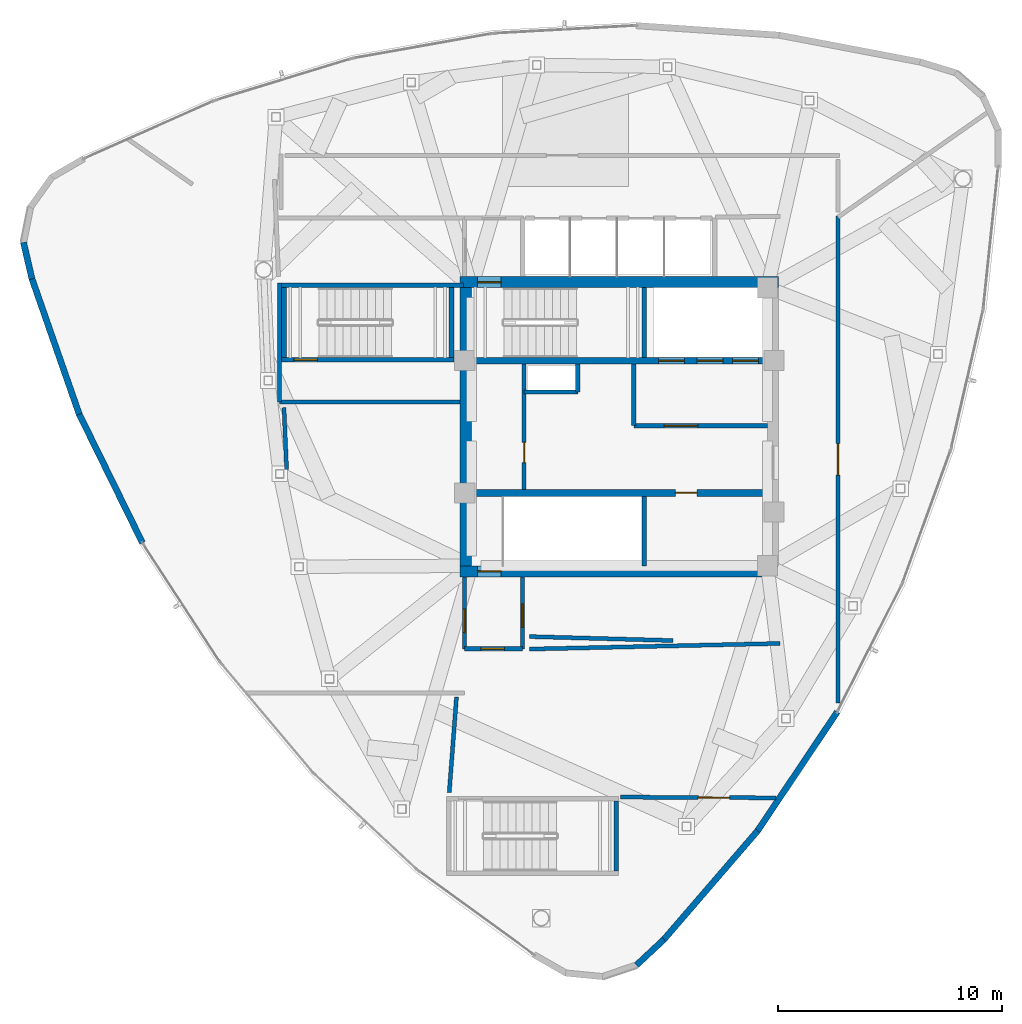
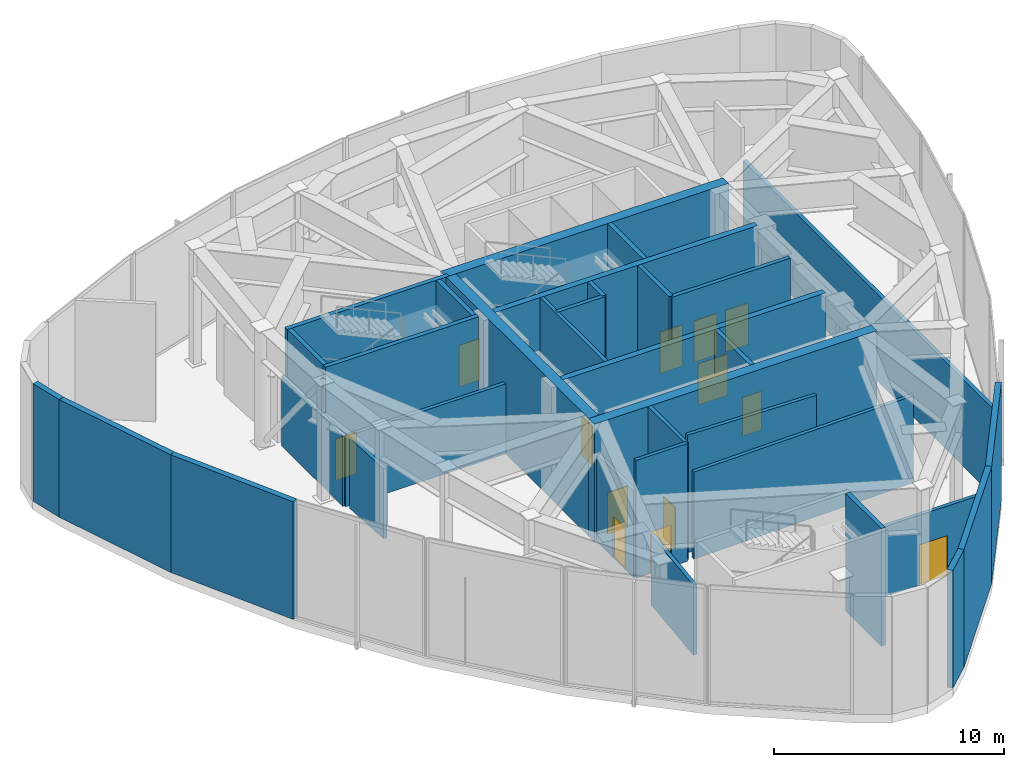
# One storey, part 8 of 13: 34 walls, 14 doors, 14 openings.
"""IFC4 building model written with IfcOpenShell, lengths in metres."""

import ifcopenshell
import ifcopenshell.guid

model = None  # the IFC model being written
_history = None  # IfcOwnerHistory: only IFC2X3 demands one
_inside = {}  # id of a spatial element -> (the spatial element, [elements in it])
_under = {}  # id of a project, library or spatial element -> (it, [spatial elements below it])
_declared = {}  # id of a project -> (the project, [libraries it declares])
_typed = {}  # id of a type object -> (the type object, [elements of that type])
_made_of = {}  # id of a material, layer set ... -> (it, [elements and type objects made of it])


def new_model(schema):
    """Start an empty IFC model of exactly this schema.

    Asked for "IFC4X3", IfcOpenShell would pick the latest addendum, in which some entities
    have other attributes; the version numbers below select the first issue.
    IFC2X3 requires an IfcOwnerHistory on every rooted entity: one is made here for all.
    """
    global model, _history
    if schema == "IFC4X3":
        model = ifcopenshell.file(schema_version=(4, 3, 0, 0))
    else:
        model = ifcopenshell.file(schema=schema)
    _inside.clear()
    _under.clear()
    _declared.clear()
    _typed.clear()
    _made_of.clear()
    _history = None
    if model.schema == "IFC2X3":
        org = make("IfcOrganization", Name="unknown")
        user = make(
            "IfcPersonAndOrganization",
            ThePerson=make("IfcPerson", FamilyName="unknown"),
            TheOrganization=org,
        )
        app = make(
            "IfcApplication",
            ApplicationDeveloper=org,
            Version="unknown",
            ApplicationFullName="unknown",
            ApplicationIdentifier="unknown",
        )
        _history = make(
            "IfcOwnerHistory",
            OwningUser=user,
            OwningApplication=app,
            ChangeAction="ADDED",
            CreationDate=0,
        )
    return model


def make(cls, **values):
    """One entity of the class cls with the attributes given. An attribute that is None is left unset."""
    return model.create_entity(
        cls, **{name: value for name, value in values.items() if value is not None}
    )


def rooted(cls, **values):
    """An entity with a GlobalId (a new one), such as an element, a storey or a relation."""
    return make(cls, GlobalId=ifcopenshell.guid.new(), OwnerHistory=_history, **values)


def si_unit(unit_type, name, prefix=None):
    """IfcSIUnit, for example si_unit("LENGTHUNIT", "METRE", prefix="MILLI")."""
    return make("IfcSIUnit", UnitType=unit_type, Prefix=prefix, Name=name)


def assignment(units):
    """IfcUnitAssignment: the units of a project."""
    return None if units is None else make("IfcUnitAssignment", Units=units)


def point(xyz):
    """IfcCartesianPoint."""
    return None if xyz is None else make("IfcCartesianPoint", Coordinates=xyz)


def direction(xyz):
    """IfcDirection."""
    return None if xyz is None else make("IfcDirection", DirectionRatios=xyz)


def frame(location, z_axis=None, x_axis=None):
    """IfcAxis2Placement3D, a coordinate frame: its origin and axes. An axis left out is left unset."""
    return make(
        "IfcAxis2Placement3D",
        Location=point(location),
        Axis=direction(z_axis),
        RefDirection=direction(x_axis),
    )


def frame_2d(location, x_axis=None):
    """IfcAxis2Placement2D, a coordinate frame in the plane: its origin and x axis."""
    return make(
        "IfcAxis2Placement2D", Location=point(location), RefDirection=direction(x_axis)
    )


def origin():
    """The frame at (0, 0, 0) with its axes left unset."""
    return frame((0.0, 0.0, 0.0))


def place(relative_to, where):
    """IfcLocalPlacement: puts the frame where relative to a parent placement (None: the world)."""
    return make(
        "IfcLocalPlacement", PlacementRelTo=relative_to, RelativePlacement=where
    )


def context(
    kind, dimensions, precision=None, world=None, true_north=None, identifier=None
):
    """IfcGeometricRepresentationContext, for example the 3D "Model" context."""
    return make(
        "IfcGeometricRepresentationContext",
        ContextIdentifier=identifier,
        ContextType=kind,
        CoordinateSpaceDimension=dimensions,
        Precision=precision,
        WorldCoordinateSystem=world,
        TrueNorth=true_north,
    )


def subcontext(parent, identifier, kind, view, scale=None):
    """IfcGeometricRepresentationSubContext, for example "Body" below "Model"."""
    return make(
        "IfcGeometricRepresentationSubContext",
        ContextIdentifier=identifier,
        ContextType=kind,
        ParentContext=parent,
        TargetScale=scale,
        TargetView=view,
    )


def project(units=None, contexts=None):
    """IfcProject with its units and contexts."""
    return rooted(
        "IfcProject",
        Name="project",
        RepresentationContexts=contexts,
        UnitsInContext=assignment(units),
    )


def spatial(cls, under=None, at=None, **own):
    """A site, building, storey or space (cls), placed at a placement, below another one or the project."""
    s = rooted(cls, ObjectPlacement=at, **own)
    if under is not None:
        _under.setdefault(under.id(), (under, []))[1].append(s)
    return s


def profile(cls, at=None, kind="AREA", **sizes):
    """A parametric profile (cls). Its sizes go by their IFC names, for example OverallWidth=200.0."""
    return make(cls, ProfileType=kind, Position=at, **sizes)


def rectangle(**sizes):
    """IfcRectangleProfileDef."""
    return profile("IfcRectangleProfileDef", **sizes)


def extrude(swept, where, along, depth):
    """IfcExtrudedAreaSolid: the profile swept, set in the frame where, extruded along a direction by depth."""
    return make(
        "IfcExtrudedAreaSolid",
        SweptArea=swept,
        Position=where,
        ExtrudedDirection=direction(along),
        Depth=depth,
    )


def shape(context_of_items, identifier, shape_type, items):
    """IfcShapeRepresentation: the items that make up one representation, for example the "Body"."""
    return make(
        "IfcShapeRepresentation",
        ContextOfItems=context_of_items,
        RepresentationIdentifier=identifier,
        RepresentationType=shape_type,
        Items=items,
    )


def material(Name=None, Category=None):
    """IfcMaterial."""
    return make("IfcMaterial", Name=Name, Category=Category)


def layer(
    of_material, thickness, ventilated=None, Name=None, Category=None, Priority=None
):
    """IfcMaterialLayer: one layer of a wall or slab, of a material (None: an air gap)."""
    return make(
        "IfcMaterialLayer",
        Material=of_material,
        LayerThickness=thickness,
        IsVentilated=ventilated,
        Name=Name,
        Category=Category,
        Priority=Priority,
    )


def layer_set(layers, Name=None):
    """IfcMaterialLayerSet."""
    return make("IfcMaterialLayerSet", MaterialLayers=layers, LayerSetName=Name)


def made_of(thing, what):
    """Note that an element or type object is made of a material, layer set ...; save() writes the relation."""
    if what is not None:
        _made_of.setdefault(what.id(), (what, []))[1].append(thing)
    return thing


def type_object(cls, material=None, **own):
    """A type object (cls), such as IfcWallType, which elements share."""
    return made_of(rooted(cls, **own), material)


def element(
    cls,
    number,
    at=None,
    inside=None,
    cuts=None,
    type_object=None,
    material=None,
    context=None,
    identifier="Body",
    shape_type=None,
    held_by="IfcProductDefinitionShape",
    body=None,
    shapes=None,
    **own,
):
    """One element of the class cls, such as IfcWall. Its Tag is "e" and its number.

    at: its placement. inside: the storey or other place that contains it. cuts: it is an
    opening in that element (IfcRelVoidsElement). A single representation is given by context,
    identifier, shape_type and body (its items); several are given by shapes. held_by: the class
    of the entity that holds the representations. save() writes the other relations.
    """
    e = rooted(cls, Tag="e%d" % number, ObjectPlacement=at, **own)
    if body is not None:
        shapes = [shape(context, identifier, shape_type, body)]
    if shapes is not None:
        e.Representation = make(held_by, Representations=shapes)
    if inside is not None:
        _inside.setdefault(inside.id(), (inside, []))[1].append(e)
    if cuts is not None:
        rooted(
            "IfcRelVoidsElement", RelatingBuildingElement=cuts, RelatedOpeningElement=e
        )
    if type_object is not None:
        _typed.setdefault(type_object.id(), (type_object, []))[1].append(e)
    return made_of(e, material)


def fill(opening, filler):
    """IfcRelFillsElement: the door or window that sits in an opening."""
    return rooted(
        "IfcRelFillsElement",
        RelatingOpeningElement=opening,
        RelatedBuildingElement=filler,
    )


def aggregate(whole, parts):
    """IfcRelAggregates: a whole, such as a stair, and the parts it consists of."""
    return rooted("IfcRelAggregates", RelatingObject=whole, RelatedObjects=parts)


def save(model, path):
    """Write the relations noted so far, then the file.

    IfcRelAggregates (storeys below a building ...), IfcRelContainedInSpatialStructure (elements
    in a storey), IfcRelDefinesByType, IfcRelAssociatesMaterial and IfcRelDeclares: one each for
    every whole, place, type object, material and project.
    """
    for whole, parts in _under.values():
        aggregate(whole, parts)
    for where, things in _inside.values():
        rooted(
            "IfcRelContainedInSpatialStructure",
            RelatedElements=things,
            RelatingStructure=where,
        )
    for kind, things in _typed.values():
        rooted("IfcRelDefinesByType", RelatedObjects=things, RelatingType=kind)
    for what, things in _made_of.values():
        rooted("IfcRelAssociatesMaterial", RelatedObjects=things, RelatingMaterial=what)
    for by, libraries in _declared.values():
        rooted("IfcRelDeclares", RelatingContext=by, RelatedDefinitions=libraries)
    model.write(path)


model = new_model("IFC4")

# Units and contexts
model_context = context("Model", 3, precision=1e-05, world=origin(), true_north=direction((0.0, 1.0)))
body_context = subcontext(model_context, "Body", "Model", "MODEL_VIEW")
ifc_project = project(units=[si_unit("LENGTHUNIT", "METRE"), si_unit("AREAUNIT", "SQUARE_METRE"), si_unit("VOLUMEUNIT", "CUBIC_METRE"), si_unit("PLANEANGLEUNIT", "RADIAN"), si_unit("MASSUNIT", "GRAM", prefix="KILO")], contexts=[model_context])

# Site, building, storey
site_placement = place(None, origin())
site = spatial("IfcSite", under=ifc_project, at=site_placement, CompositionType="ELEMENT")
building_placement = place(site_placement, origin())
building = spatial("IfcBuilding", under=site, at=building_placement, Name="Tavelor Broadcast Tower", CompositionType="ELEMENT")
storey_placement = place(building_placement, frame((0.0, 0.0, 325.5)))
storey = spatial("IfcBuildingStorey", under=building, at=storey_placement, Name="L78", CompositionType="ELEMENT", Elevation=325.5)

# Wall, opening, door
ifc_material_1 = material(Name="Concrete C50/60", Category="concrete")
ifc_layer_1 = layer(ifc_material_1, 0.5)
ifc_layer_set_1 = layer_set([ifc_layer_1], Name="Concrete C50/60")
wall_type_1 = type_object("IfcWallType", Name="Core Shear Wall 500 mm", PredefinedType="SHEAR", material=ifc_layer_set_1)
wall_1_placement = place(storey_placement, frame((42.89990234375, 51.449951171875, 0.0), z_axis=(0.0, 0.0, 1.0), x_axis=(1.0, 0.0, 0.0)))
wall_1 = element("IfcWall", 1, at=wall_1_placement, inside=storey, type_object=wall_type_1, Name="L78 Central Core Shear Wall N", PredefinedType="SHEAR", context=body_context, shape_type="SweptSolid", body=[
    extrude(rectangle(XDim=14.2001953125, YDim=0.5, at=frame_2d((7.10009765625, 0.0))), origin(), (0.0, 0.0, 1.0), 6.25),
])
opening_1_placement = place(wall_1_placement, frame((0.780029296875, 0.0, 0.0)))
opening_1 = element("IfcOpeningElement", 2, at=opening_1_placement, cuts=wall_1, Name="Opening DR11", PredefinedType="OPENING", context=body_context, shape_type="SweptSolid", body=[
    extrude(rectangle(XDim=1.050048828125, YDim=2.199951171875, at=frame_2d((0.52490234375, 1.10009765625))), frame((0.0, 0.260009765625, 0.0), z_axis=(0.0, -1.0, 0.0), x_axis=(1.0, 0.0, 0.0)), (0.0, 0.0, 1.0), 0.52001953125),
])
ifc_material_2 = material(Name="Steel S355", Category="steel")
door_type_1 = type_object("IfcDoorType", Name="Stair Core Fire Escape Door 1050x2200", OperationType="NOTDEFINED", PredefinedType="DOOR", material=ifc_material_2)
door_1_placement = place(opening_1_placement, origin())
door_1 = element("IfcDoor", 3, at=door_1_placement, inside=storey, type_object=door_type_1, Name="L78 Stair ST1 Protected Exit Door", OperationType="SINGLE_SWING_LEFT", OverallHeight=2.199951171875, OverallWidth=1.050048828125, PredefinedType="DOOR", context=body_context, shape_type="SweptSolid", body=[
    extrude(rectangle(XDim=1.050048828125, YDim=2.199951171875, at=frame_2d((0.52490234375, 1.10009765625))), frame((0.0, 0.02490234375, 0.0), z_axis=(0.0, -1.0, 0.0), x_axis=(1.0, 0.0, 0.0)), (0.0, 0.0, 1.0), 0.050048828125),
])
fill(opening_1, door_1)

wall_2_placement = place(storey_placement, frame((42.89990234375, 38.550048828125, 0.0), z_axis=(0.0, 0.0, 1.0), x_axis=(1.0, 0.0, 0.0)))
wall_2 = element("IfcWall", 4, at=wall_2_placement, inside=storey, type_object=wall_type_1, Name="L78 Central Core Shear Wall S", PredefinedType="SHEAR", context=body_context, shape_type="SweptSolid", body=[
    extrude(rectangle(XDim=14.2001953125, YDim=0.5, at=frame_2d((7.10009765625, 0.0))), origin(), (0.0, 0.0, 1.0), 6.25),
])
opening_2_placement = place(wall_2_placement, frame((0.780029296875, 0.0, 0.0)))
opening_2 = element("IfcOpeningElement", 5, at=opening_2_placement, cuts=wall_2, Name="Opening DR11", PredefinedType="OPENING", context=body_context, shape_type="SweptSolid", body=[
    extrude(rectangle(XDim=1.050048828125, YDim=2.199951171875, at=frame_2d((0.52490234375, 1.10009765625))), frame((0.0, 0.260009765625, 0.0), z_axis=(0.0, -1.0, 0.0), x_axis=(1.0, 0.0, 0.0)), (0.0, 0.0, 1.0), 0.52001953125),
])
door_2_placement = place(opening_2_placement, origin())
door_2 = element("IfcDoor", 6, at=door_2_placement, inside=storey, type_object=door_type_1, Name="L78 Stair ST2 Protected Exit Door", OperationType="SINGLE_SWING_RIGHT", OverallHeight=2.199951171875, OverallWidth=1.050048828125, PredefinedType="DOOR", context=body_context, shape_type="SweptSolid", body=[
    extrude(rectangle(XDim=1.050048828125, YDim=2.199951171875, at=frame_2d((0.52490234375, 1.10009765625))), frame((0.0, 0.02490234375, 0.0), z_axis=(0.0, -1.0, 0.0), x_axis=(1.0, 0.0, 0.0)), (0.0, 0.0, 1.0), 0.050048828125),
])
fill(opening_2, door_2)

# Wall
wall_3_placement = place(storey_placement, frame((43.14990234375, 38.800048828125, 0.0), z_axis=(0.0, 0.0, 1.0), x_axis=(0.0, 1.0, 0.0)))
element("IfcWall", 7, at=wall_3_placement, inside=storey, type_object=wall_type_1, Name="L78 Central Core Shear Wall W", PredefinedType="SHEAR", context=body_context, shape_type="SweptSolid", body=[
    extrude(rectangle(XDim=12.39990234375, YDim=0.5, at=frame_2d((6.199951171875, 0.0))), origin(), (0.0, 0.0, 1.0), 6.25),
])

# Wall, openings, doors
ifc_layer_2 = layer(ifc_material_1, 0.300048828125)
ifc_layer_set_2 = layer_set([ifc_layer_2], Name="Concrete C50/60")
wall_type_2 = type_object("IfcWallType", Name="Core Spine Shear Wall 300 mm C50", PredefinedType="SHEAR", material=ifc_layer_set_2)
wall_4_placement = place(storey_placement, frame((43.39990234375, 47.949951171875, 0.0), z_axis=(0.0, 0.0, 1.0), x_axis=(1.0, 0.0, 0.0)))
wall_4 = element("IfcWall", 8, at=wall_4_placement, inside=storey, type_object=wall_type_2, Name="L78 Central Core Shear Wall SP1", PredefinedType="SHEAR", context=body_context, shape_type="SweptSolid", body=[
    extrude(rectangle(XDim=13.2001953125, YDim=0.300048828125, at=frame_2d((6.60009765625, 0.0))), origin(), (0.0, 0.0, 1.0), 6.25),
])
opening_3_placement = place(wall_4_placement, frame((8.344970703125, 0.0, 0.0)))
opening_3 = element("IfcOpeningElement", 9, at=opening_3_placement, cuts=wall_4, Name="Opening LD02", PredefinedType="OPENING", context=body_context, shape_type="SweptSolid", body=[
    extrude(rectangle(XDim=1.14990234375, YDim=2.199951171875, at=frame_2d((0.574951171875, 1.10009765625))), frame((0.0, 0.16015625, 0.0), z_axis=(0.0, -1.0, 0.0), x_axis=(1.0, 0.0, 0.0)), (0.0, 0.0, 1.0), 0.320068359375),
])
opening_4_placement = place(wall_4_placement, frame((10.06494140625, 0.0, 0.0)))
opening_4 = element("IfcOpeningElement", 10, at=opening_4_placement, cuts=wall_4, Name="Opening LD02", PredefinedType="OPENING", context=body_context, shape_type="SweptSolid", body=[
    extrude(rectangle(XDim=1.14990234375, YDim=2.199951171875, at=frame_2d((0.574951171875, 1.10009765625))), frame((0.0, 0.16015625, 0.0), z_axis=(0.0, -1.0, 0.0), x_axis=(1.0, 0.0, 0.0)), (0.0, 0.0, 1.0), 0.320068359375),
])
opening_5_placement = place(wall_4_placement, frame((11.64501953125, 0.0, 0.0)))
opening_5 = element("IfcOpeningElement", 11, at=opening_5_placement, cuts=wall_4, Name="Opening LD03", PredefinedType="OPENING", context=body_context, shape_type="SweptSolid", body=[
    extrude(rectangle(XDim=1.14990234375, YDim=2.199951171875, at=frame_2d((0.574951171875, 1.10009765625))), frame((0.0, 0.16015625, 0.0), z_axis=(0.0, -1.0, 0.0), x_axis=(1.0, 0.0, 0.0)), (0.0, 0.0, 1.0), 0.320068359375),
])
ifc_material_3 = material(Name="Reinforced Brushed Stainless Steel", Category="concrete")
door_type_2 = type_object("IfcDoorType", Name="Broadcast Goods Lift Sliding Landing Door 1250x2200", OperationType="NOTDEFINED", PredefinedType="DOOR", material=ifc_material_3)
door_3_placement = place(opening_5_placement, origin())
door_3 = element("IfcDoor", 12, at=door_3_placement, inside=storey, type_object=door_type_2, Name="L78 Lift SVL1 Sliding Landing Door", OperationType="SLIDING_TO_LEFT", OverallHeight=2.199951171875, OverallWidth=1.14990234375, PredefinedType="DOOR", context=body_context, shape_type="SweptSolid", body=[
    extrude(rectangle(XDim=1.14990234375, YDim=2.199951171875, at=frame_2d((0.574951171875, 1.10009765625))), frame((0.0, 0.02490234375, 0.0), z_axis=(0.0, -1.0, 0.0), x_axis=(1.0, 0.0, 0.0)), (0.0, 0.0, 1.0), 0.050048828125),
])
fill(opening_5, door_3)
ifc_material_4 = material(Name="Fire-Rated Stainless Steel", Category="steel")
door_type_3 = type_object("IfcDoorType", Name="Firefighting Lift Sliding Landing Door 1200x2200", OperationType="NOTDEFINED", PredefinedType="DOOR", material=ifc_material_4)
door_4_placement = place(opening_3_placement, origin())
door_4 = element("IfcDoor", 13, at=door_4_placement, inside=storey, type_object=door_type_3, Name="L78 Lift FFL1 Sliding Landing Door", OperationType="SLIDING_TO_LEFT", OverallHeight=2.199951171875, OverallWidth=1.14990234375, PredefinedType="DOOR", context=body_context, shape_type="SweptSolid", body=[
    extrude(rectangle(XDim=1.14990234375, YDim=2.199951171875, at=frame_2d((0.574951171875, 1.10009765625))), frame((0.0, 0.02490234375, 0.0), z_axis=(0.0, -1.0, 0.0), x_axis=(1.0, 0.0, 0.0)), (0.0, 0.0, 1.0), 0.050048828125),
])
fill(opening_3, door_4)
door_5_placement = place(opening_4_placement, origin())
door_5 = element("IfcDoor", 14, at=door_5_placement, inside=storey, type_object=door_type_3, Name="L78 Lift FFL2 Sliding Landing Door", OperationType="SLIDING_TO_LEFT", OverallHeight=2.199951171875, OverallWidth=1.14990234375, PredefinedType="DOOR", context=body_context, shape_type="SweptSolid", body=[
    extrude(rectangle(XDim=1.14990234375, YDim=2.199951171875, at=frame_2d((0.574951171875, 1.10009765625))), frame((0.0, 0.02490234375, 0.0), z_axis=(0.0, -1.0, 0.0), x_axis=(1.0, 0.0, 0.0)), (0.0, 0.0, 1.0), 0.050048828125),
])
fill(opening_4, door_5)

# Wall, opening, door
wall_5_placement = place(storey_placement, frame((43.39990234375, 42.050048828125, 0.0), z_axis=(0.0, 0.0, 1.0), x_axis=(1.0, 0.0, 0.0)))
wall_5 = element("IfcWall", 15, at=wall_5_placement, inside=storey, type_object=wall_type_2, Name="L78 Central Core Shear Wall SP2", PredefinedType="SHEAR", context=body_context, shape_type="SweptSolid", body=[
    extrude(rectangle(XDim=13.2001953125, YDim=0.300048828125, at=frame_2d((6.60009765625, 0.0))), origin(), (0.0, 0.0, 1.0), 6.25),
])
opening_6_placement = place(wall_5_placement, frame((9.10009765625, 0.0, 0.0)))
opening_6 = element("IfcOpeningElement", 16, at=opening_6_placement, cuts=wall_5, Name="Opening DR18", PredefinedType="OPENING", context=body_context, shape_type="SweptSolid", body=[
    extrude(rectangle(XDim=0.949951171875, YDim=2.050048828125, at=frame_2d((0.47509765625, 1.02490234375))), frame((0.0, 0.16015625, 0.0), z_axis=(0.0, -1.0, 0.0), x_axis=(1.0, 0.0, 0.0)), (0.0, 0.0, 1.0), 0.320068359375),
])
ifc_material_5 = material(Name="Timber Solid Core Hardwood", Category="wood")
door_type_4 = type_object("IfcDoorType", Name="Corridor Rated Compartment Door 950x2050", OperationType="NOTDEFINED", PredefinedType="DOOR", material=ifc_material_5)
door_6_placement = place(opening_6_placement, origin())
door_6 = element("IfcDoor", 17, at=door_6_placement, inside=storey, type_object=door_type_4, Name="L78 Reclaimed South Core Plant Door", OperationType="SINGLE_SWING_LEFT", OverallHeight=2.050048828125, OverallWidth=0.949951171875, PredefinedType="DOOR", context=body_context, shape_type="SweptSolid", body=[
    extrude(rectangle(XDim=0.949951171875, YDim=2.050048828125, at=frame_2d((0.47509765625, 1.02490234375))), frame((0.0, 0.02490234375, 0.0), z_axis=(0.0, -1.0, 0.0), x_axis=(1.0, 0.0, 0.0)), (0.0, 0.0, 1.0), 0.050048828125),
])
fill(opening_6, door_6)

ifc_material_6 = material(Name="Calcium Silicate Fire Board 180 mm", Category="gypsum")
ifc_layer_3 = layer(ifc_material_6, 0.179931640625)
ifc_layer_set_3 = layer_set([ifc_layer_3], Name="Calcium Silicate Fire Board 180 mm")
wall_type_3 = type_object("IfcWallType", Name="Fire-Rated Corridor Partition Wall 180 mm", PredefinedType="PARTITIONING", material=ifc_layer_set_3)
wall_6_placement = place(storey_placement, frame((45.75, 42.199951171875, 0.0), z_axis=(0.0, 0.0, 1.0), x_axis=(0.0, 1.0, 0.0)))
wall_6 = element("IfcWall", 18, at=wall_6_placement, inside=storey, type_object=wall_type_3, Name="L78 Core West Service East Wall", PredefinedType="PARTITIONING", context=body_context, shape_type="SweptSolid", body=[
    extrude(rectangle(XDim=5.60009765625, YDim=0.179931640625, at=frame_2d((2.800048828125, 0.0))), origin(), (0.0, 0.0, 1.0), 6.25),
])
opening_7_placement = place(wall_6_placement, frame((1.199951171875, 0.0, 0.0)))
opening_7 = element("IfcOpeningElement", 19, at=opening_7_placement, cuts=wall_6, Name="Opening DR32", PredefinedType="OPENING", context=body_context, shape_type="SweptSolid", body=[
    extrude(rectangle(XDim=0.89990234375, YDim=2.050048828125, at=frame_2d((0.449951171875, 1.02490234375))), frame((0.0, 0.10009765625, 0.0), z_axis=(0.0, -1.0, 0.0), x_axis=(1.0, 0.0, 0.0)), (0.0, 0.0, 1.0), 0.199951171875),
])
door_type_5 = type_object("IfcDoorType", Name="Accessible Washroom Door 900x2050", OperationType="NOTDEFINED", PredefinedType="DOOR", material=ifc_material_5)
door_7_placement = place(opening_7_placement, origin())
door_7 = element("IfcDoor", 20, at=door_7_placement, inside=storey, type_object=door_type_5, Name="L78 Core Plant Room Door", OperationType="SINGLE_SWING_LEFT", OverallHeight=2.050048828125, OverallWidth=0.89990234375, PredefinedType="DOOR", context=body_context, shape_type="SweptSolid", body=[
    extrude(rectangle(XDim=0.89990234375, YDim=2.050048828125, at=frame_2d((0.449951171875, 1.02490234375))), frame((0.0, 0.02490234375, 0.0), z_axis=(0.0, -1.0, 0.0), x_axis=(1.0, 0.0, 0.0)), (0.0, 0.0, 1.0), 0.050048828125),
])
fill(opening_7, door_7)

# Wall
wall_7_placement = place(storey_placement, frame((35.04296875, 45.85009765625, 0.0), z_axis=(0.0, 0.0, 1.0), x_axis=(0.041829175035, -0.99912477705, 0.0)))
element("IfcWall", 21, at=wall_7_placement, inside=storey, type_object=wall_type_3, Name="L78 Corner Brace Furring Wall 1", PredefinedType="PARTITIONING", context=body_context, shape_type="SweptSolid", body=[
    extrude(rectangle(XDim=2.7607421875, YDim=0.179931640625, at=frame_2d((1.38037109375, 0.0))), origin(), (0.0, 0.0, 1.0), 3.72509765625),
])

# Wall, opening, door
wall_8_placement = place(storey_placement, frame((45.679931640625, 35.10009765625, 0.0), z_axis=(0.0, 0.0, 1.0), x_axis=(0.0, 1.0, 0.0)))
wall_8 = element("IfcWall", 22, at=wall_8_placement, inside=storey, type_object=wall_type_3, Name="L78 Stair ST2 Lobby East Wall", PredefinedType="PARTITIONING", context=body_context, shape_type="SweptSolid", body=[
    extrude(rectangle(XDim=3.199951171875, YDim=0.179931640625, at=frame_2d((1.60009765625, 0.0))), origin(), (0.0, 0.0, 1.0), 6.25),
])
opening_8_placement = place(wall_8_placement, frame((0.949951171875, 0.0, 0.0)))
opening_8 = element("IfcOpeningElement", 23, at=opening_8_placement, cuts=wall_8, Name="Opening DR11", PredefinedType="OPENING", context=body_context, shape_type="SweptSolid", body=[
    extrude(rectangle(XDim=1.050048828125, YDim=2.199951171875, at=frame_2d((0.52490234375, 1.10009765625))), frame((0.0, 0.10009765625, 0.0), z_axis=(0.0, -1.0, 0.0), x_axis=(1.0, 0.0, 0.0)), (0.0, 0.0, 1.0), 0.199951171875),
])
door_8_placement = place(opening_8_placement, origin())
door_8 = element("IfcDoor", 24, at=door_8_placement, inside=storey, type_object=door_type_1, Name="L78 Stair ST2 Lobby East Corridor Door", OperationType="SINGLE_SWING_LEFT", OverallHeight=2.199951171875, OverallWidth=1.050048828125, PredefinedType="DOOR", context=body_context, shape_type="SweptSolid", body=[
    extrude(rectangle(XDim=1.050048828125, YDim=2.199951171875, at=frame_2d((0.52490234375, 1.10009765625))), frame((0.0, 0.02490234375, 0.0), z_axis=(0.0, -1.0, 0.0), x_axis=(1.0, 0.0, 0.0)), (0.0, 0.0, 1.0), 0.050048828125),
])
fill(opening_8, door_8)

wall_9_placement = place(storey_placement, frame((43.10009765625, 35.10009765625, 0.0), z_axis=(0.0, 0.0, 1.0), x_axis=(1.0, 0.0, 0.0)))
wall_9 = element("IfcWall", 25, at=wall_9_placement, inside=storey, type_object=wall_type_3, Name="L78 Stair ST2 Lobby South Wall", PredefinedType="PARTITIONING", context=body_context, shape_type="SweptSolid", body=[
    extrude(rectangle(XDim=2.579833984375, YDim=0.179931640625, at=frame_2d((1.2900390625, 0.0))), origin(), (0.0, 0.0, 1.0), 6.25),
])
opening_9_placement = place(wall_9_placement, frame((0.719970703125, 0.0, 0.0)))
opening_9 = element("IfcOpeningElement", 26, at=opening_9_placement, cuts=wall_9, Name="Opening DR11", PredefinedType="OPENING", context=body_context, shape_type="SweptSolid", body=[
    extrude(rectangle(XDim=1.050048828125, YDim=2.199951171875, at=frame_2d((0.52490234375, 1.10009765625))), frame((0.0, 0.10009765625, 0.0), z_axis=(0.0, -1.0, 0.0), x_axis=(1.0, 0.0, 0.0)), (0.0, 0.0, 1.0), 0.199951171875),
])
door_9_placement = place(opening_9_placement, origin())
door_9 = element("IfcDoor", 27, at=door_9_placement, inside=storey, type_object=door_type_1, Name="L78 Stair ST2 Lobby Corridor Door", OperationType="SINGLE_SWING_RIGHT", OverallHeight=2.199951171875, OverallWidth=1.050048828125, PredefinedType="DOOR", context=body_context, shape_type="SweptSolid", body=[
    extrude(rectangle(XDim=1.050048828125, YDim=2.199951171875, at=frame_2d((0.52490234375, 1.10009765625))), frame((0.0, 0.02490234375, 0.0), z_axis=(0.0, -1.0, 0.0), x_axis=(1.0, 0.0, 0.0)), (0.0, 0.0, 1.0), 0.050048828125),
])
fill(opening_9, door_9)

wall_10_placement = place(storey_placement, frame((43.10009765625, 35.10009765625, 0.0), z_axis=(0.0, 0.0, 1.0), x_axis=(0.0, 1.0, 0.0)))
wall_10 = element("IfcWall", 28, at=wall_10_placement, inside=storey, type_object=wall_type_3, Name="L78 Fire Refuge South Stair ST2 Lobby Wall", PredefinedType="PARTITIONING", context=body_context, shape_type="SweptSolid", body=[
    extrude(rectangle(XDim=3.199951171875, YDim=0.179931640625, at=frame_2d((1.60009765625, 0.0))), origin(), (0.0, 0.0, 1.0), 4.625),
])
opening_10_placement = place(wall_10_placement, frame((0.719970703125, 0.0, 0.0)))
opening_10 = element("IfcOpeningElement", 29, at=opening_10_placement, cuts=wall_10, Name="Opening DR11", PredefinedType="OPENING", context=body_context, shape_type="SweptSolid", body=[
    extrude(rectangle(XDim=1.050048828125, YDim=2.199951171875, at=frame_2d((0.52490234375, 1.10009765625))), frame((0.0, 0.10009765625, 0.0), z_axis=(0.0, -1.0, 0.0), x_axis=(1.0, 0.0, 0.0)), (0.0, 0.0, 1.0), 0.199951171875),
])
door_10_placement = place(opening_10_placement, origin())
door_10 = element("IfcDoor", 30, at=door_10_placement, inside=storey, type_object=door_type_1, Name="L78 Fire Refuge Stair ST2 Lobby Door", OperationType="SINGLE_SWING_LEFT", OverallHeight=2.199951171875, OverallWidth=1.050048828125, PredefinedType="DOOR", context=body_context, shape_type="SweptSolid", body=[
    extrude(rectangle(XDim=1.050048828125, YDim=2.199951171875, at=frame_2d((0.52490234375, 1.10009765625))), frame((0.0, 0.02490234375, 0.0), z_axis=(0.0, -1.0, 0.0), x_axis=(1.0, 0.0, 0.0)), (0.0, 0.0, 1.0), 0.050048828125),
])
fill(opening_10, door_10)

# Walls
wall_11_placement = place(storey_placement, frame((34.85009765625, 46.10009765625, 0.0), z_axis=(0.0, 0.0, 1.0), x_axis=(1.0, 0.0, 0.0)))
element("IfcWall", 31, at=wall_11_placement, inside=storey, type_object=wall_type_3, Name="L78 Fire Refuge ST5 Corridor Separation Wall", PredefinedType="PARTITIONING", context=body_context, shape_type="SweptSolid", body=[
    extrude(rectangle(XDim=8.0498046875, YDim=0.179931640625, at=frame_2d((4.02490234375, 0.0))), origin(), (0.0, 0.0, 1.0), 3.72509765625),
])
wall_12_placement = place(storey_placement, frame((34.85009765625, 46.10009765625, 0.0), z_axis=(0.0, 0.0, 1.0), x_axis=(0.0, 1.0, 0.0)))
element("IfcWall", 32, at=wall_12_placement, inside=storey, type_object=wall_type_3, Name="L78 Fire Refuge ST5 West Enclosure Wall", PredefinedType="PARTITIONING", context=body_context, shape_type="SweptSolid", body=[
    extrude(rectangle(XDim=5.31982421875, YDim=0.179931640625, at=frame_2d((2.659912109375, 0.0))), origin(), (0.0, 0.0, 1.0), 3.72509765625),
])

# Wall, opening, door
wall_13_placement = place(storey_placement, frame((56.993408203125, 28.45068359375, 0.0), z_axis=(0.0, 0.0, 1.0), x_axis=(-0.999988766379, 0.004739948859, 0.0)))
wall_13 = element("IfcWall", 33, at=wall_13_placement, inside=storey, type_object=wall_type_3, Name="L78 Plant Corridor Fire Wall", PredefinedType="PARTITIONING", context=body_context, shape_type="SweptSolid", body=[
    extrude(rectangle(XDim=6.953369140625, YDim=0.179931640625, at=frame_2d((3.4765625, 0.0))), origin(), (0.0, 0.0, 1.0), 3.72509765625),
])
opening_11_placement = place(wall_13_placement, frame((2.07666015625, 0.0, 0.0)))
opening_11 = element("IfcOpeningElement", 34, at=opening_11_placement, cuts=wall_13, Name="Opening DR41", PredefinedType="OPENING", context=body_context, shape_type="SweptSolid", body=[
    extrude(rectangle(XDim=1.39990234375, YDim=2.14990234375, at=frame_2d((0.699951171875, 1.074951171875))), frame((0.0, 0.10009765625, 0.0), z_axis=(0.0, -1.0, 0.0), x_axis=(1.0, 0.0, 0.0)), (0.0, 0.0, 1.0), 0.199951171875),
])
door_type_6 = type_object("IfcDoorType", Name="Plant Room Double Fire Door 1400x2150", OperationType="NOTDEFINED", PredefinedType="DOOR", material=ifc_material_2)
door_11_placement = place(opening_11_placement, origin())
door_11 = element("IfcDoor", 35, at=door_11_placement, inside=storey, type_object=door_type_6, Name="L78 Broadcast RF Transmitter Chiller Plant Direct Corridor Door", OperationType="SINGLE_SWING_RIGHT", OverallHeight=2.14990234375, OverallWidth=1.39990234375, PredefinedType="DOOR", context=body_context, shape_type="SweptSolid", body=[
    extrude(rectangle(XDim=1.39990234375, YDim=2.14990234375, at=frame_2d((0.699951171875, 1.074951171875))), frame((0.0, 0.02490234375, 0.0), z_axis=(0.0, -1.0, 0.0), x_axis=(1.0, 0.0, 0.0)), (0.0, 0.0, 1.0), 0.050048828125),
])
fill(opening_11, door_11)

# Walls
wall_14_placement = place(storey_placement, frame((42.412841796875, 28.690185546875, 0.0), z_axis=(0.0, 0.0, 1.0), x_axis=(0.075783049324, 0.997124329979, 0.0)))
element("IfcWall", 36, at=wall_14_placement, inside=storey, type_object=wall_type_3, Name="L78 Plant Corridor Fire Wall", PredefinedType="PARTITIONING", context=body_context, shape_type="SweptSolid", body=[
    extrude(rectangle(XDim=4.271728515625, YDim=0.179931640625, at=frame_2d((2.1357421875, 0.0))), origin(), (0.0, 0.0, 1.0), 3.72509765625),
])
wall_15_placement = place(storey_placement, frame((45.989990234375, 35.085205078125, 0.0), z_axis=(0.0, 0.0, 1.0), x_axis=(0.999747668387, 0.022463293476, 0.0)))
element("IfcWall", 37, at=wall_15_placement, inside=storey, type_object=wall_type_3, Name="L78 Plant Corridor Fire Wall", PredefinedType="PARTITIONING", context=body_context, shape_type="SweptSolid", body=[
    extrude(rectangle(XDim=11.1728515625, YDim=0.179931640625, at=frame_2d((5.58642578125, 0.0))), origin(), (0.0, 0.0, 1.0), 4.625),
])
wall_16_placement = place(storey_placement, frame((52.3837890625, 35.466064453125, 0.0), z_axis=(0.0, 0.0, 1.0), x_axis=(-0.999614920782, 0.027749056757, 0.0)))
element("IfcWall", 38, at=wall_16_placement, inside=storey, type_object=wall_type_3, Name="L78 Plant Corridor Fire Wall", PredefinedType="PARTITIONING", context=body_context, shape_type="SweptSolid", body=[
    extrude(rectangle(XDim=6.396240234375, YDim=0.179931640625, at=frame_2d((3.1982421875, 0.0))), origin(), (0.0, 0.0, 1.0), 6.25),
])

# Wall, opening, door
wall_17_placement = place(storey_placement, frame((59.75, 54.40771484375, 0.0), z_axis=(0.0, 0.0, 1.0), x_axis=(0.0, -1.0, 0.0)))
wall_17 = element("IfcWall", 39, at=wall_17_placement, inside=storey, type_object=wall_type_3, Name="L78 Plant Corridor Fire Wall", PredefinedType="PARTITIONING", context=body_context, shape_type="SweptSolid", body=[
    extrude(rectangle(XDim=21.72265625, YDim=0.179931640625, at=frame_2d((10.861328125, 0.0))), origin(), (0.0, 0.0, 1.0), 4.625),
])
opening_12_placement = place(wall_17_placement, frame((10.161376953125, 0.0, 0.0)))
opening_12 = element("IfcOpeningElement", 40, at=opening_12_placement, cuts=wall_17, Name="Opening DR41", PredefinedType="OPENING", context=body_context, shape_type="SweptSolid", body=[
    extrude(rectangle(XDim=1.39990234375, YDim=2.14990234375, at=frame_2d((0.699951171875, 1.074951171875))), frame((0.0, 0.10009765625, 0.0), z_axis=(0.0, -1.0, 0.0), x_axis=(1.0, 0.0, 0.0)), (0.0, 0.0, 1.0), 0.199951171875),
])
door_12_placement = place(opening_12_placement, origin())
door_12 = element("IfcDoor", 41, at=door_12_placement, inside=storey, type_object=door_type_6, Name="L78 Pendulum Hydraulic Pump Plant Room Direct Corridor Door", OperationType="SINGLE_SWING_RIGHT", OverallHeight=2.14990234375, OverallWidth=1.39990234375, PredefinedType="DOOR", context=body_context, shape_type="SweptSolid", body=[
    extrude(rectangle(XDim=1.39990234375, YDim=2.14990234375, at=frame_2d((0.699951171875, 1.074951171875))), frame((0.0, 0.02490234375, 0.0), z_axis=(0.0, -1.0, 0.0), x_axis=(1.0, 0.0, 0.0)), (0.0, 0.0, 1.0), 0.050048828125),
])
fill(opening_12, door_12)

# Walls
ifc_material_7 = material(Name="Precast Concrete C40/50", Category="concrete")
ifc_layer_4 = layer(ifc_material_7, 0.280029296875)
ifc_layer_set_4 = layer_set([ifc_layer_4], Name="Precast Concrete C40/50")
wall_type_4 = type_object("IfcWallType", Name="Insulated Precast Terracotta Facade Wall 280 mm", PredefinedType="STANDARD", material=ifc_layer_set_4)
wall_18_placement = place(storey_placement, frame((23.424560546875, 53.22509765625, 0.0), z_axis=(0.0, 0.0, 1.0), x_axis=(0.225816392937, -0.974169880812, 0.0)))
element("IfcWall", 42, at=wall_18_placement, inside=storey, type_object=wall_type_4, Name="L78 Rounded Corner Structural Cladding Pier 04", PredefinedType="STANDARD", context=body_context, shape_type="SweptSolid", body=[
    extrude(rectangle(XDim=1.6767578125, YDim=0.280029296875, at=frame_2d((0.83837890625, 0.0))), origin(), (0.0, 0.0, 1.0), 6.25),
])
wall_19_placement = place(storey_placement, frame((23.794921875, 51.6201171875, 0.0), z_axis=(0.0, 0.0, 1.0), x_axis=(0.329258733665, -0.944239739846, 0.0)))
element("IfcWall", 43, at=wall_19_placement, inside=storey, type_object=wall_type_4, Name="L78 Rounded Corner Structural Cladding Pier 05", PredefinedType="STANDARD", context=body_context, shape_type="SweptSolid", body=[
    extrude(rectangle(XDim=6.426513671875, YDim=0.280029296875, at=frame_2d((3.21337890625, 0.0))), origin(), (0.0, 0.0, 1.0), 6.25),
])
wall_20_placement = place(storey_placement, frame((25.8994140625, 45.57958984375, 0.0), z_axis=(0.0, 0.0, 1.0), x_axis=(0.441098066562, -0.897458910299, 0.0)))
element("IfcWall", 44, at=wall_20_placement, inside=storey, type_object=wall_type_4, Name="L78 Rounded Corner Structural Cladding Pier 06", PredefinedType="STANDARD", context=body_context, shape_type="SweptSolid", body=[
    extrude(rectangle(XDim=6.414306640625, YDim=0.280029296875, at=frame_2d((3.20703125, 0.0))), origin(), (0.0, 0.0, 1.0), 6.25),
])
wall_21_placement = place(storey_placement, frame((50.764404296875, 20.989990234375, 0.0), z_axis=(0.0, 0.0, 1.0), x_axis=(0.730716342463, 0.682681204412, 0.0)))
element("IfcWall", 45, at=wall_21_placement, inside=storey, type_object=wall_type_4, Name="L78 Rounded Corner Structural Cladding Pier 14", PredefinedType="STANDARD", context=body_context, shape_type="SweptSolid", body=[
    extrude(rectangle(XDim=1.67724609375, YDim=0.280029296875, at=frame_2d((0.838623046875, 0.0))), origin(), (0.0, 0.0, 1.0), 6.25),
])
wall_22_placement = place(storey_placement, frame((51.96923828125, 22.11328125, 0.0), z_axis=(0.0, 0.0, 1.0), x_axis=(0.653103430252, 0.757268716766, 0.0)))
element("IfcWall", 46, at=wall_22_placement, inside=storey, type_object=wall_type_4, Name="L78 Rounded Corner Structural Cladding Pier 15", PredefinedType="STANDARD", context=body_context, shape_type="SweptSolid", body=[
    extrude(rectangle(XDim=6.4267578125, YDim=0.280029296875, at=frame_2d((3.21337890625, 0.0))), origin(), (0.0, 0.0, 1.0), 6.25),
])
wall_23_placement = place(storey_placement, frame((56.148193359375, 26.9560546875, 0.0), z_axis=(0.0, 0.0, 1.0), x_axis=(0.556666056539, 0.830736361006, 0.0)))
element("IfcWall", 47, at=wall_23_placement, inside=storey, type_object=wall_type_4, Name="L78 Rounded Corner Structural Cladding Pier 16", PredefinedType="STANDARD", context=body_context, shape_type="SweptSolid", body=[
    extrude(rectangle(XDim=6.41455078125, YDim=0.280029296875, at=frame_2d((3.207275390625, 0.0))), origin(), (0.0, 0.0, 1.0), 6.25),
])
ifc_material_8 = material(Name="Concrete Blockwork 200 mm", Category="masonry")
ifc_layer_5 = layer(ifc_material_8, 0.199951171875)
ifc_layer_set_5 = layer_set([ifc_layer_5], Name="Concrete Blockwork 200 mm")
wall_type_5 = type_object("IfcWallType", Name="Lift and Riser Shaft Enclosure Wall 200 mm", PredefinedType="PARTITIONING", material=ifc_layer_set_5)
wall_24_placement = place(storey_placement, frame((45.75, 46.550048828125, 0.0), z_axis=(0.0, 0.0, 1.0), x_axis=(1.0, 0.0, 0.0)))
element("IfcWall", 48, at=wall_24_placement, inside=storey, type_object=wall_type_5, Name="L78 Riser Shaft South Wall", PredefinedType="PARTITIONING", context=body_context, shape_type="SweptSolid", body=[
    extrude(rectangle(XDim=2.39990234375, YDim=0.199951171875, at=frame_2d((1.199951171875, 0.0))), origin(), (0.0, 0.0, 1.0), 6.25),
])
wall_25_placement = place(storey_placement, frame((48.14990234375, 46.550048828125, 0.0), z_axis=(0.0, 0.0, 1.0), x_axis=(0.0, 1.0, 0.0)))
element("IfcWall", 49, at=wall_25_placement, inside=storey, type_object=wall_type_5, Name="L78 Riser Shaft East Wall", PredefinedType="PARTITIONING", context=body_context, shape_type="SweptSolid", body=[
    extrude(rectangle(XDim=1.25, YDim=0.199951171875, at=frame_2d((0.625, 0.0))), origin(), (0.0, 0.0, 1.0), 6.25),
])

# Wall, opening, door
wall_26_placement = place(storey_placement, frame((50.64990234375, 45.050048828125, 0.0), z_axis=(0.0, 0.0, 1.0), x_axis=(1.0, 0.0, 0.0)))
wall_26 = element("IfcWall", 50, at=wall_26_placement, inside=storey, type_object=wall_type_5, Name="L78 Firefighting Lobby South Wall", PredefinedType="PARTITIONING", context=body_context, shape_type="SweptSolid", body=[
    extrude(rectangle(XDim=5.9501953125, YDim=0.199951171875, at=frame_2d((2.97509765625, 0.0))), origin(), (0.0, 0.0, 1.0), 6.25),
])
opening_13_placement = place(wall_26_placement, frame((1.35009765625, 0.0, 0.0)))
opening_13 = element("IfcOpeningElement", 51, at=opening_13_placement, cuts=wall_26, Name="Opening DR14", PredefinedType="OPENING", context=body_context, shape_type="SweptSolid", body=[
    extrude(rectangle(XDim=1.5, YDim=2.199951171875, at=frame_2d((0.75, 1.10009765625))), frame((0.0, 0.10986328125, 0.0), z_axis=(0.0, -1.0, 0.0), x_axis=(1.0, 0.0, 0.0)), (0.0, 0.0, 1.0), 0.219970703125),
])
door_type_7 = type_object("IfcDoorType", Name="Firefighting Lobby Double Fire Door 1500x2200", OperationType="NOTDEFINED", PredefinedType="DOOR", material=ifc_material_2)
door_13_placement = place(opening_13_placement, origin())
door_13 = element("IfcDoor", 52, at=door_13_placement, inside=storey, type_object=door_type_7, Name="L78 Firefighting Lobby Compartment Door", OperationType="SINGLE_SWING_RIGHT", OverallHeight=2.199951171875, OverallWidth=1.5, PredefinedType="DOOR", context=body_context, shape_type="SweptSolid", body=[
    extrude(rectangle(XDim=1.5, YDim=2.199951171875, at=frame_2d((0.75, 1.10009765625))), frame((0.0, 0.02490234375, 0.0), z_axis=(0.0, -1.0, 0.0), x_axis=(1.0, 0.0, 0.0)), (0.0, 0.0, 1.0), 0.050048828125),
])
fill(opening_13, door_13)

# Walls
wall_27_placement = place(storey_placement, frame((50.64990234375, 45.050048828125, 0.0), z_axis=(0.0, 0.0, 1.0), x_axis=(0.0, 1.0, 0.0)))
element("IfcWall", 53, at=wall_27_placement, inside=storey, type_object=wall_type_5, Name="L78 Firefighting Lobby West Wall", PredefinedType="PARTITIONING", context=body_context, shape_type="SweptSolid", body=[
    extrude(rectangle(XDim=2.75, YDim=0.199951171875, at=frame_2d((1.375, 0.0))), origin(), (0.0, 0.0, 1.0), 6.25),
])
ifc_material_9 = material(Name="Concrete C40/50", Category="concrete")
ifc_layer_6 = layer(ifc_material_9, 0.219970703125)
ifc_layer_set_6 = layer_set([ifc_layer_6], Name="Concrete C40/50")
wall_type_6 = type_object("IfcWallType", Name="Structural Stairwell Shear Wall 220 mm", PredefinedType="SHEAR", material=ifc_layer_set_6)
for number, where, z_axis, x_axis, name in (
    (54, (51.110107421875, 48.10009765625, 0.0), (0.0, 0.0, 1.0), (0.0, 1.0, 0.0), "L78 Stair ST1 Structural Shaft Wall"),
    (55, (51.110107421875, 38.800048828125, 0.0), (0.0, 0.0, 1.0), (0.0, 1.0, 0.0), "L78 Stair ST2 Structural Shaft Wall"),
):
    element("IfcWall", number, at=place(storey_placement, frame(where, z_axis=z_axis, x_axis=x_axis)), inside=storey, type_object=wall_type_6, Name=name, PredefinedType="SHEAR", context=body_context, shape_type="SweptSolid", body=[
        extrude(rectangle(XDim=3.099853515625, YDim=0.219970703125, at=frame_2d((1.5498046875, 0.0))), origin(), (0.0, 0.0, 1.0), 6.25),
    ])

# Wall, opening, door
wall_28_placement = place(storey_placement, frame((34.929931640625, 47.989990234375, 0.0), z_axis=(0.0, 0.0, 1.0), x_axis=(1.0, 0.0, 0.0)))
wall_28 = element("IfcWall", 56, at=wall_28_placement, inside=storey, type_object=wall_type_6, Name="L78 Stair ST5 Structural Shaft Wall S", PredefinedType="SHEAR", context=body_context, shape_type="SweptSolid", body=[
    extrude(rectangle(XDim=7.690185546875, YDim=0.219970703125, at=frame_2d((3.84521484375, 0.0))), origin(), (0.0, 0.0, 1.0), 6.25),
])
opening_14_placement = place(wall_28_placement, frame((0.550048828125, 0.0, 0.0)))
opening_14 = element("IfcOpeningElement", 57, at=opening_14_placement, cuts=wall_28, Name="Opening DR11", PredefinedType="OPENING", context=body_context, shape_type="SweptSolid", body=[
    extrude(rectangle(XDim=1.050048828125, YDim=2.199951171875, at=frame_2d((0.52490234375, 1.10009765625))), frame((0.0, 0.1201171875, 0.0), z_axis=(0.0, -1.0, 0.0), x_axis=(1.0, 0.0, 0.0)), (0.0, 0.0, 1.0), 0.239990234375),
])
door_14_placement = place(opening_14_placement, origin())
door_14 = element("IfcDoor", 58, at=door_14_placement, inside=storey, type_object=door_type_1, Name="L78 Stair ST5 Protected Fire Door", OperationType="SINGLE_SWING_RIGHT", OverallHeight=2.199951171875, OverallWidth=1.050048828125, PredefinedType="DOOR", context=body_context, shape_type="SweptSolid", body=[
    extrude(rectangle(XDim=1.050048828125, YDim=2.199951171875, at=frame_2d((0.52490234375, 1.10009765625))), frame((0.0, 0.02490234375, 0.0), z_axis=(0.0, -1.0, 0.0), x_axis=(1.0, 0.0, 0.0)), (0.0, 0.0, 1.0), 0.050048828125),
])
fill(opening_14, door_14)

# Walls
wall_29_placement = place(storey_placement, frame((34.929931640625, 51.31005859375, 0.0), z_axis=(0.0, 0.0, 1.0), x_axis=(1.0, 0.0, 0.0)))
element("IfcWall", 59, at=wall_29_placement, inside=storey, type_object=wall_type_6, Name="L78 Stair ST5 Structural Shaft Wall N", PredefinedType="SHEAR", context=body_context, shape_type="SweptSolid", body=[
    extrude(rectangle(XDim=8.1201171875, YDim=0.219970703125, at=frame_2d((4.06005859375, 0.0))), origin(), (0.0, 0.0, 1.0), 6.25),
])
for number, where, z_axis, x_axis, name in (
    (60, (42.510009765625, 48.10009765625, 0.0), (0.0, 0.0, 1.0), (0.0, 1.0, 0.0), "L78 Stair ST5 Structural Shaft Wall E"),
    (61, (35.0400390625, 48.10009765625, 0.0), (0.0, 0.0, 1.0), (0.0, 1.0, 0.0), "L78 Stair ST5 Structural Shaft Wall W"),
):
    element("IfcWall", number, at=place(storey_placement, frame(where, z_axis=z_axis, x_axis=x_axis)), inside=storey, type_object=wall_type_6, Name=name, PredefinedType="SHEAR", context=body_context, shape_type="SweptSolid", body=[
        extrude(rectangle(XDim=3.099853515625, YDim=0.219970703125, at=frame_2d((1.5498046875, 0.0))), origin(), (0.0, 0.0, 1.0), 6.25),
    ])
wall_30_placement = place(storey_placement, frame((49.860107421875, 25.199951171875, 0.0), z_axis=(0.0, 0.0, 1.0), x_axis=(0.0, 1.0, 0.0)))
element("IfcWall", 62, at=wall_30_placement, inside=storey, type_object=wall_type_6, Name="L78 Stair ST6 Structural Shaft Wall E", PredefinedType="SHEAR", context=body_context, shape_type="SweptSolid", body=[
    extrude(rectangle(XDim=3.10009765625, YDim=0.219970703125, at=frame_2d((1.550048828125, 0.0))), origin(), (0.0, 0.0, 1.0), 6.25),
])

save(model, "model.ifc")
